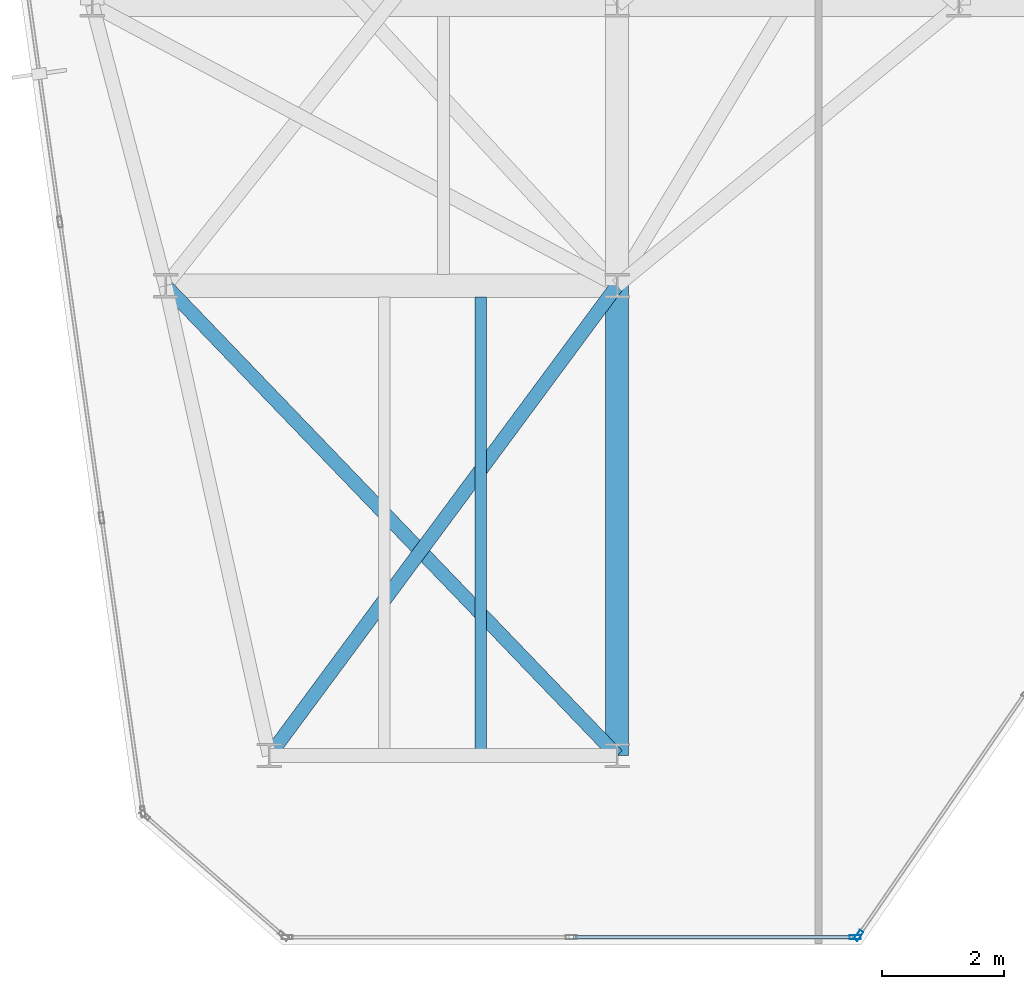
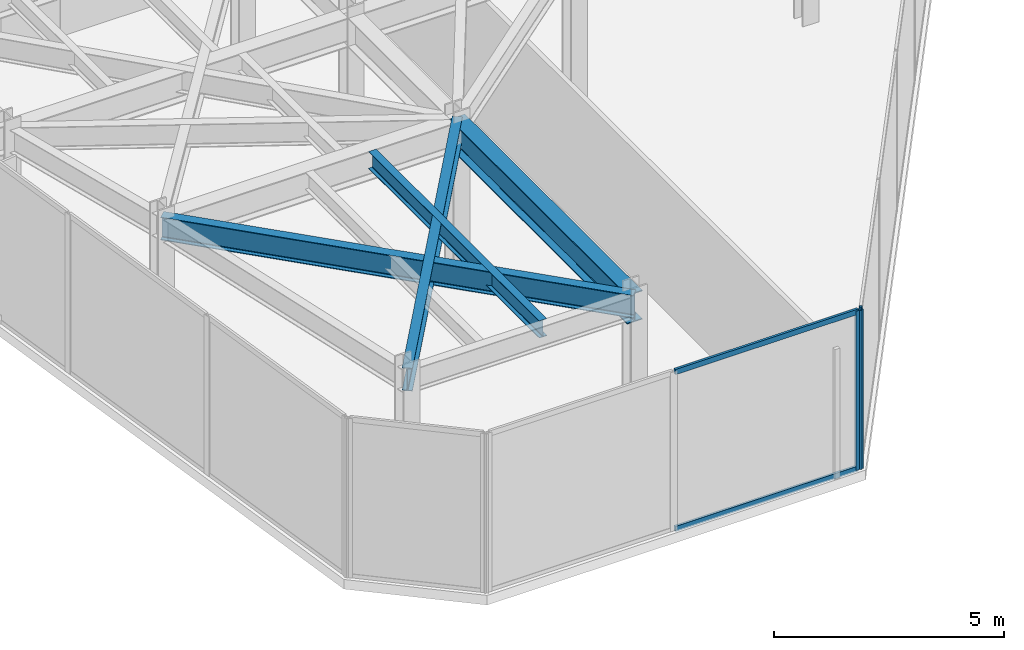
# One storey, part 3 of 25: 4 beams, 4 members, 2 elements without a shape of their own.
"""IFC4 building model written with IfcOpenShell, lengths in metres."""

from ifc_helpers import new_model, si_unit, direction, frame, origin, origin_2d, place, context, subcontext, project, spatial, hollow_rectangle, i_section, extrude, material, layer, layer_set, material_profile, profile_set, type_object, element, aggregate, save


model = new_model("IFC4")

# Units and contexts
model_context = context("Model", 3, precision=1e-05, world=origin(), true_north=direction((0.0, 1.0)))
body_context = subcontext(model_context, "Body", "Model", "MODEL_VIEW")
ifc_project = project(units=[si_unit("LENGTHUNIT", "METRE"), si_unit("AREAUNIT", "SQUARE_METRE"), si_unit("VOLUMEUNIT", "CUBIC_METRE"), si_unit("PLANEANGLEUNIT", "RADIAN"), si_unit("MASSUNIT", "GRAM", prefix="KILO")], contexts=[model_context])

# Site, building, storey
site_placement = place(None, origin())
site = spatial("IfcSite", under=ifc_project, at=site_placement, CompositionType="ELEMENT")
building_placement = place(site_placement, origin())
building = spatial("IfcBuilding", under=site, at=building_placement, Name="Kravanh Interchange Tower", CompositionType="ELEMENT")
storey_placement = place(building_placement, frame((0.0, 0.0, 220.5)))
storey = spatial("IfcBuildingStorey", under=building, at=storey_placement, Name="L53", CompositionType="ELEMENT", Elevation=220.5)

# Curtain wall, member
ifc_material_1 = material(Name="Anodised Bronze Aluminium", Category="aluminium")
ifc_layer = layer(ifc_material_1, 0.179931640625)
ifc_layer_set = layer_set([ifc_layer], Name="Unitised Curtain Wall System CW-SKY Sky Observatory")
curtain_wall_type = type_object("IfcCurtainWallType", Name="Unitised Curtain Wall System CW-SKY Sky Observatory", PredefinedType="NOTDEFINED", material=ifc_layer_set)
curtain_wall_1_placement = place(storey_placement, origin())
curtain_wall_1 = element("IfcCurtainWall", 1, at=curtain_wall_1_placement, inside=storey, type_object=curtain_wall_type, Name="L53 Unitised Curtain Wall CW-L53-06", PredefinedType="NOTDEFINED")
ifc_material_2 = material(Name="Anodised Bronze Aluminium", Category="aluminium")
ifc_material_profile_1 = material_profile(ifc_material_2, hollow_rectangle(XDim=0.070068359375, YDim=0.179931640625, WallThickness=0.00390625, at=origin_2d()), Name="ALU70X180X4")
ifc_profile_set_1 = profile_set([ifc_material_profile_1], Name="Anodised Bronze Aluminium")
member_type_1 = type_object("IfcMemberType", Name="Curtain Wall Mullion ALU70X180X4 Bronze", PredefinedType="MULLION", material=ifc_profile_set_1)
member_1_placement = place(storey_placement, frame((31.15673828125, 11.548828125, 0.0), z_axis=(0.0, 0.0, 1.0), x_axis=(0.824042223035, -0.566528388217, 0.0)))
member_1 = element("IfcMember", 2, at=member_1_placement, type_object=member_type_1, Name="CW-SKY mullion 5", PredefinedType="MULLION", context=body_context, shape_type="SweptSolid", body=[
    extrude(hollow_rectangle(XDim=0.070068359375, YDim=0.179931640625, WallThickness=0.00390625, at=origin_2d()), origin(), (0.0, 0.0, 1.0), 4.219970703125),
])
aggregate(curtain_wall_1, [member_1])

# Curtain wall, members
curtain_wall_2_placement = place(storey_placement, origin())
curtain_wall_2 = element("IfcCurtainWall", 3, at=curtain_wall_2_placement, inside=storey, type_object=curtain_wall_type, Name="L53 Unitised Curtain Wall CW-L53-07", PredefinedType="NOTDEFINED")
member_2_placement = place(storey_placement, frame((31.101806640625, 11.52001953125, 0.0), z_axis=(0.0, 0.0, 1.0), x_axis=(0.0, -1.0, 0.0)))
member_2 = element("IfcMember", 4, at=member_2_placement, type_object=member_type_1, Name="CW-SKY mullion 1", PredefinedType="MULLION", context=body_context, shape_type="SweptSolid", body=[
    extrude(hollow_rectangle(XDim=0.070068359375, YDim=0.179931640625, WallThickness=0.00390625, at=origin_2d()), origin(), (0.0, 0.0, 1.0), 4.219970703125),
])
ifc_material_3 = material(Name="Anodised Bronze Aluminium", Category="aluminium")
ifc_material_profile_2 = material_profile(ifc_material_3, hollow_rectangle(XDim=0.06005859375, YDim=0.139892578125, WallThickness=0.00390625, at=origin_2d()), Name="ALU60X140X4")
ifc_profile_set_2 = profile_set([ifc_material_profile_2], Name="Anodised Bronze Aluminium")
member_type_2 = type_object("IfcMemberType", Name="Curtain Wall Transom ALU60X140X4 Bronze", PredefinedType="USERDEFINED", material=ifc_profile_set_2)
member_3_placement = place(storey_placement, frame((31.06689453125, 11.52001953125, 0.030029296875), z_axis=(-1.0, 0.0, 0.0), x_axis=(0.0, -1.0, 0.0)))
member_3 = element("IfcMember", 5, at=member_3_placement, type_object=member_type_2, Name="CW-SKY transom 1.1", ObjectType="TRANSOM", PredefinedType="USERDEFINED", context=body_context, shape_type="SweptSolid", body=[
    extrude(hollow_rectangle(XDim=0.06005859375, YDim=0.139892578125, WallThickness=0.00390625, at=origin_2d()), origin(), (0.0, 0.0, 1.0), 4.583984375),
])
member_4_placement = place(storey_placement, frame((31.06689453125, 11.52001953125, 4.18994140625), z_axis=(-1.0, 0.0, 0.0), x_axis=(0.0, -1.0, 0.0)))
member_4 = element("IfcMember", 6, at=member_4_placement, type_object=member_type_2, Name="CW-SKY transom 1.2", ObjectType="TRANSOM", PredefinedType="USERDEFINED", context=body_context, shape_type="SweptSolid", body=[
    extrude(hollow_rectangle(XDim=0.06005859375, YDim=0.139892578125, WallThickness=0.00390625, at=origin_2d()), origin(), (0.0, 0.0, 1.0), 4.583984375),
])
aggregate(curtain_wall_2, [member_2, member_3, member_4])

# Beams
ifc_material_4 = material(Name="Structural Steel S355", Category="steel")
ifc_material_profile_3 = material_profile(ifc_material_4, i_section(OverallWidth=0.381103515625, OverallDepth=0.77294921875, WebThickness=0.0166015625, FlangeThickness=0.027099609375, FilletRadius=0.02490234375, at=origin_2d()), Name="W30X173")
ifc_profile_set_3 = profile_set([ifc_material_profile_3], Name="Structural Steel S355")
beam_type_1 = type_object("IfcBeamType", Name="Floor Beam W30X173 Structural Steel S355", PredefinedType="BEAM", material=ifc_profile_set_3)
beam_1_placement = place(storey_placement, frame((27.199951171875, 14.5, 3.83349609375), z_axis=(0.0, 1.0, 0.0), x_axis=(-1.0, 0.0, 0.0)))
element("IfcBeam", 7, at=beam_1_placement, inside=storey, type_object=beam_type_1, Name="L53 Primary Floor Girder 70", PredefinedType="BEAM", context=body_context, shape_type="SweptSolid", body=[
    extrude(i_section(OverallWidth=0.381103515625, OverallDepth=0.77294921875, WebThickness=0.0166015625, FlangeThickness=0.027099609375, FilletRadius=0.02490234375, at=origin_2d()), origin(), (0.0, 0.0, 1.0), 7.699951171875),
])
ifc_material_5 = material(Name="Structural Steel S355", Category="steel")
ifc_material_profile_4 = material_profile(ifc_material_5, i_section(OverallWidth=0.18994140625, OverallDepth=0.45703125, WebThickness=0.009033203125, FlangeThickness=0.014404296875, FilletRadius=0.01806640625, at=origin_2d()), Name="W18X50")
ifc_profile_set_4 = profile_set([ifc_material_profile_4], Name="Structural Steel S355")
beam_type_2 = type_object("IfcBeamType", Name="Floor Joist W18X50 Structural Steel S355", PredefinedType="JOIST", material=ifc_profile_set_4)
beam_2_placement = place(storey_placement, frame((24.966064453125, 14.60888671875, 3.991455078125), z_axis=(0.0, 1.0, 0.0), x_axis=(-1.0, 0.0, 0.0)))
element("IfcBeam", 8, at=beam_2_placement, inside=storey, type_object=beam_type_2, Name="L53 Secondary Floor Joist 2", PredefinedType="JOIST", context=body_context, shape_type="SweptSolid", body=[
    extrude(i_section(OverallWidth=0.18994140625, OverallDepth=0.45703125, WebThickness=0.009033203125, FlangeThickness=0.014404296875, FilletRadius=0.01806640625, at=origin_2d()), origin(), (0.0, 0.0, 1.0), 7.405517578125),
])
ifc_material_6 = material(Name="Structural Steel S355", Category="steel")
ifc_material_profile_5 = material_profile(ifc_material_6, i_section(OverallWidth=0.22802734375, OverallDepth=0.60791015625, WebThickness=0.01123046875, FlangeThickness=0.017333984375, FilletRadius=0.02197265625, at=origin_2d()), Name="W24X76")
ifc_profile_set_5 = profile_set([ifc_material_profile_5], Name="Structural Steel S355")
beam_type_3 = type_object("IfcBeamType", Name="Floor Spandrel W24X76 Structural Steel S355", PredefinedType="SPANDREL", material=ifc_profile_set_5)
beam_3_placement = place(storey_placement, frame((21.5, 14.5, 3.916015625), z_axis=(0.59497703726, 0.803742698339, 0.0), x_axis=(-0.803742698339, 0.59497703726, 0.0)))
element("IfcBeam", 9, at=beam_3_placement, inside=storey, type_object=beam_type_3, Name="L53 Perimeter Spandrel 32", PredefinedType="SPANDREL", context=body_context, shape_type="SweptSolid", body=[
    extrude(i_section(OverallWidth=0.22802734375, OverallDepth=0.60791015625, WebThickness=0.01123046875, FlangeThickness=0.017333984375, FilletRadius=0.02197265625, at=origin_2d()), origin(), (0.0, 0.0, 1.0), 9.580078125),
])
beam_4_placement = place(storey_placement, frame((27.199951171875, 14.5, 3.916015625), z_axis=(-0.692919091225, 0.721015348669, 0.0), x_axis=(-0.721015348669, -0.692919091225, 0.0)))
element("IfcBeam", 10, at=beam_4_placement, inside=storey, type_object=beam_type_3, Name="L53 Perimeter Spandrel 71", PredefinedType="SPANDREL", context=body_context, shape_type="SweptSolid", body=[
    extrude(i_section(OverallWidth=0.22802734375, OverallDepth=0.60791015625, WebThickness=0.01123046875, FlangeThickness=0.017333984375, FilletRadius=0.02197265625, at=origin_2d()), origin(), (0.0, 0.0, 1.0), 10.67919921875),
])

save(model, "model.ifc")
